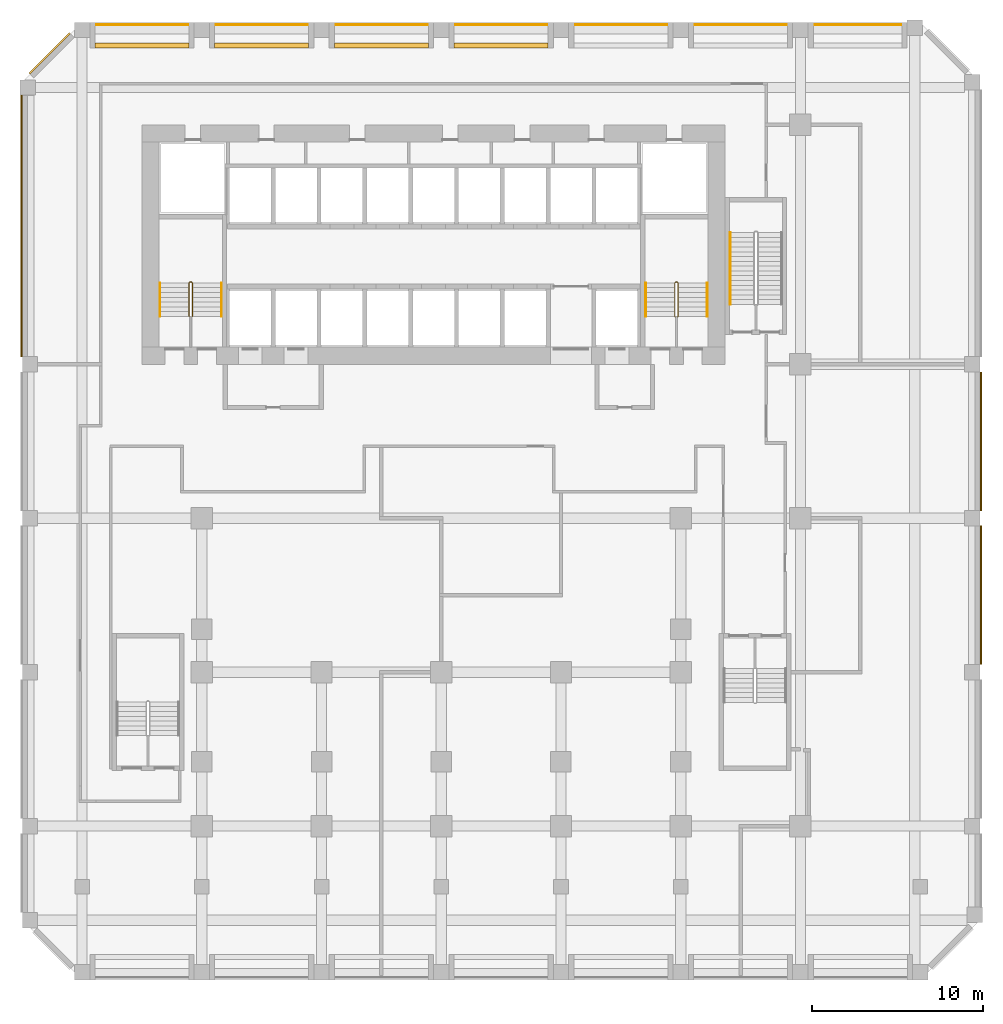
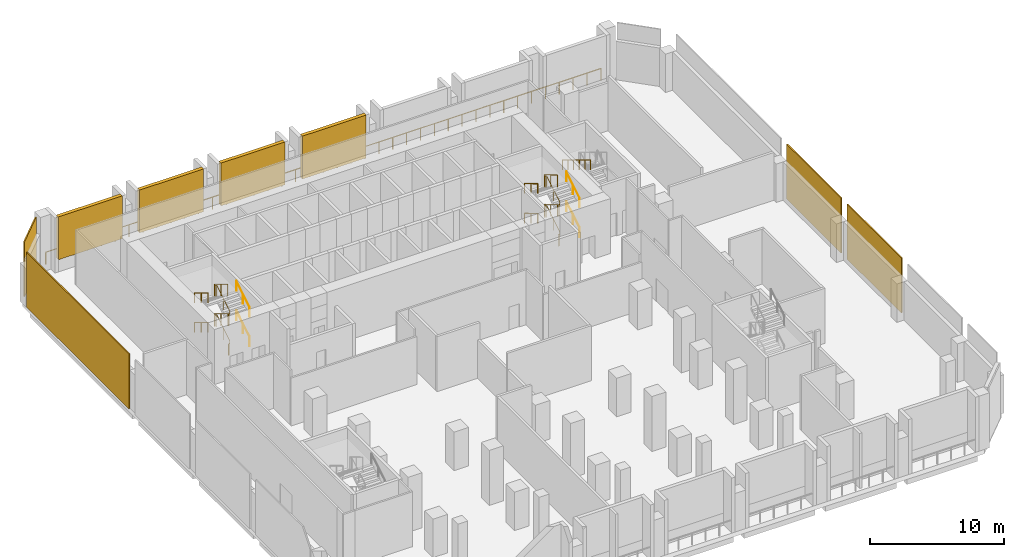
# One storey, part 9 of 10: 12 railings, 8 shading devices.
"""IFC4 building model written with IfcOpenShell, lengths in metres."""

from ifc_helpers import new_model, si_unit, direction, frame, origin, origin_2d, place, context, subcontext, project, spatial, rectangle, circle, extrude, source, transform, mapped, material, layer, layer_set, type_object, element, save


model = new_model("IFC4")

# Units and contexts
model_context = context("Model", 3, precision=1e-05, world=origin(), true_north=direction((0.0, 1.0)))
body_context = subcontext(model_context, "Body", "Model", "MODEL_VIEW")
ifc_project = project(units=[si_unit("LENGTHUNIT", "METRE"), si_unit("AREAUNIT", "SQUARE_METRE"), si_unit("VOLUMEUNIT", "CUBIC_METRE"), si_unit("PLANEANGLEUNIT", "RADIAN"), si_unit("MASSUNIT", "GRAM", prefix="KILO")], contexts=[model_context])

# Site, building, storey
site_placement = place(None, origin())
site = spatial("IfcSite", under=ifc_project, at=site_placement, CompositionType="ELEMENT")
building_placement = place(site_placement, origin())
building = spatial("IfcBuilding", under=site, at=building_placement, Name="Kilnfold Tower and Market Hall", CompositionType="ELEMENT")
storey_placement = place(building_placement, frame((0.0, 0.0, 95.199951171875)))
storey = spatial("IfcBuildingStorey", under=building, at=storey_placement, Name="L22 Refuge Transfer Level", CompositionType="ELEMENT", Elevation=95.199951171875)

# Railings
ifc_material_1 = material(Name="Stainless steel 316", Category="steel")
railing_type_1 = type_object("IfcRailingType", Name="CORE STAIR GUARD 1100", PredefinedType="GUARDRAIL", material=ifc_material_1)
railing_1_placement = place(storey_placement, frame((-13.199951171875, 10.75, 0.0)))
element("IfcRailing", 1, at=railing_1_placement, inside=storey, type_object=railing_type_1, Name="L22 Refuge Transfer Level ST1 stair guard 1", PredefinedType="GUARDRAIL", context=body_context, shape_type="SweptSolid", body=[
    extrude(circle(Radius=0.02392578125, at=origin_2d()), frame((0.0, 0.0, 1.076171875), z_axis=(1.0, 0.0, 0.0), x_axis=(0.0, 1.0, 0.0)), (0.0, 0.0, 1.0), 0.099853515625),
    extrude(circle(Radius=0.02392578125, at=origin_2d()), frame((0.099853515625, 0.0, 1.076171875), z_axis=(0.273232802156, 0.273232802156, 0.922327312645), x_axis=(-0.707106781187, 0.707106781187, 0.0)), (0.0, 0.0, 1.0), 0.18310546875),
    extrude(circle(Radius=0.02392578125, at=origin_2d()), frame((0.14990234375, 0.050048828125, 1.2451171875), z_axis=(0.0, 0.856493463811, 0.516157869696), x_axis=(-1.0, 0.0, 0.0)), (0.0, 0.0, 1.0), 2.288330078125),
    extrude(circle(Radius=0.02392578125, at=origin_2d()), frame((0.14990234375, 2.010009765625, 2.42626953125), z_axis=(-0.707106781187, 0.707106781187, 0.0), x_axis=(-0.707106781187, -0.707106781187, 0.0)), (0.0, 0.0, 1.0), 0.07080078125),
    extrude(circle(Radius=0.02392578125, at=origin_2d()), frame((0.099853515625, 2.06005859375, 2.42626953125), z_axis=(-1.0, 0.0, 0.0), x_axis=(0.0, -1.0, 0.0)), (0.0, 0.0, 1.0), 0.099853515625),
    extrude(circle(Radius=0.02392578125, at=origin_2d()), frame((0.0, 2.06005859375, 2.42626953125), z_axis=(-0.273569069059, -0.273569069059, 0.922127935218), x_axis=(0.707106781187, -0.707106781187, 0.0)), (0.0, 0.0, 1.0), 0.182861328125),
    extrude(circle(Radius=0.02392578125, at=origin_2d()), frame((-0.050048828125, 2.010009765625, 2.5947265625), z_axis=(0.0, -0.856493463811, 0.516157869696), x_axis=(1.0, 0.0, 0.0)), (0.0, 0.0, 1.0), 2.288330078125),
    extrude(circle(Radius=0.02392578125, at=origin_2d()), frame((-0.050048828125, 0.050048828125, 3.77587890625), z_axis=(0.707106781187, -0.707106781187, 0.0), x_axis=(0.707106781187, 0.707106781187, 0.0)), (0.0, 0.0, 1.0), 0.07080078125),
    extrude(circle(Radius=0.02392578125, at=origin_2d()), frame((0.0, 0.0, 3.77587890625), z_axis=(1.0, 0.0, 0.0), x_axis=(0.0, 1.0, 0.0)), (0.0, 0.0, 1.0), 0.099853515625),
    extrude(circle(Radius=0.02392578125, at=origin_2d()), frame((0.099853515625, 0.0, 3.77587890625), z_axis=(0.273569069059, 0.273569069059, 0.922127935218), x_axis=(-0.707106781187, 0.707106781187, 0.0)), (0.0, 0.0, 1.0), 0.182861328125),
    extrude(circle(Radius=0.02392578125, at=origin_2d()), frame((0.14990234375, 0.050048828125, 3.94482421875), z_axis=(0.0, 0.856446297458, 0.516236127728), x_axis=(-1.0, 0.0, 0.0)), (0.0, 0.0, 1.0), 2.28857421875),
    extrude(circle(Radius=0.02392578125, at=origin_2d()), frame((0.14990234375, 2.010009765625, 5.1259765625), z_axis=(-0.707106781187, 0.707106781187, 0.0), x_axis=(-0.707106781187, -0.707106781187, 0.0)), (0.0, 0.0, 1.0), 0.07080078125),
    extrude(circle(Radius=0.02392578125, at=origin_2d()), frame((0.099853515625, 2.06005859375, 5.1259765625), z_axis=(-1.0, 0.0, 0.0), x_axis=(0.0, -1.0, 0.0)), (0.0, 0.0, 1.0), 0.099853515625),
    extrude(circle(Radius=0.02392578125, at=origin_2d()), frame((0.0, 2.06005859375, 5.1259765625), z_axis=(-0.273569069059, -0.273569069059, 0.922127935218), x_axis=(0.707106781187, -0.707106781187, 0.0)), (0.0, 0.0, 1.0), 0.182861328125),
    extrude(circle(Radius=0.02392578125, at=origin_2d()), frame((-0.050048828125, 2.010009765625, 5.294921875), z_axis=(0.0, -0.856446297458, 0.516236127728), x_axis=(1.0, 0.0, 0.0)), (0.0, 0.0, 1.0), 2.28857421875),
    extrude(circle(Radius=0.02099609375, at=origin_2d()), origin(), (0.0, 0.0, 1.0), 1.052001953125),
    extrude(circle(Radius=0.02099609375, at=origin_2d()), frame((0.099853515625, 0.0, 0.0)), (0.0, 0.0, 1.0), 1.052001953125),
    extrude(circle(Radius=0.02099609375, at=origin_2d()), frame((0.14990234375, 0.050048828125, 0.1689453125)), (0.0, 0.0, 1.0), 1.052001953125),
    extrude(circle(Radius=0.02099609375, at=origin_2d()), frame((0.14990234375, 1.030029296875, 0.759521484375)), (0.0, 0.0, 1.0), 1.052001953125),
    extrude(circle(Radius=0.02099609375, at=origin_2d()), frame((0.14990234375, 2.010009765625, 1.35009765625)), (0.0, 0.0, 1.0), 1.052001953125),
    extrude(circle(Radius=0.02099609375, at=origin_2d()), frame((0.099853515625, 2.06005859375, 1.35009765625)), (0.0, 0.0, 1.0), 1.052001953125),
    extrude(circle(Radius=0.02099609375, at=origin_2d()), frame((0.0, 2.06005859375, 1.35009765625)), (0.0, 0.0, 1.0), 1.052001953125),
    extrude(circle(Radius=0.02099609375, at=origin_2d()), frame((-0.050048828125, 2.010009765625, 1.518798828125)), (0.0, 0.0, 1.0), 1.052001953125),
    extrude(circle(Radius=0.02099609375, at=origin_2d()), frame((-0.050048828125, 1.030029296875, 2.109375)), (0.0, 0.0, 1.0), 1.052001953125),
    extrude(circle(Radius=0.02099609375, at=origin_2d()), frame((-0.050048828125, 0.050048828125, 2.699951171875)), (0.0, 0.0, 1.0), 1.052001953125),
    extrude(circle(Radius=0.02099609375, at=origin_2d()), frame((0.0, 0.0, 2.699951171875)), (0.0, 0.0, 1.0), 1.052001953125),
    extrude(circle(Radius=0.02099609375, at=origin_2d()), frame((0.099853515625, 0.0, 2.699951171875)), (0.0, 0.0, 1.0), 1.052001953125),
    extrude(circle(Radius=0.02099609375, at=origin_2d()), frame((0.14990234375, 0.050048828125, 2.86865234375)), (0.0, 0.0, 1.0), 1.052001953125),
    extrude(circle(Radius=0.02099609375, at=origin_2d()), frame((0.14990234375, 1.030029296875, 3.45947265625)), (0.0, 0.0, 1.0), 1.052001953125),
    extrude(circle(Radius=0.02099609375, at=origin_2d()), frame((0.14990234375, 2.010009765625, 4.050048828125)), (0.0, 0.0, 1.0), 1.052001953125),
    extrude(circle(Radius=0.02099609375, at=origin_2d()), frame((0.099853515625, 2.06005859375, 4.050048828125)), (0.0, 0.0, 1.0), 1.052001953125),
    extrude(circle(Radius=0.02099609375, at=origin_2d()), frame((0.0, 2.06005859375, 4.050048828125)), (0.0, 0.0, 1.0), 1.052001953125),
    extrude(circle(Radius=0.02099609375, at=origin_2d()), frame((-0.050048828125, 2.010009765625, 4.21875)), (0.0, 0.0, 1.0), 1.052001953125),
    extrude(circle(Radius=0.02099609375, at=origin_2d()), frame((-0.050048828125, 1.030029296875, 4.8095703125)), (0.0, 0.0, 1.0), 1.052001953125),
    extrude(circle(Radius=0.02099609375, at=origin_2d()), frame((-0.050048828125, 0.050048828125, 5.400146484375)), (0.0, 0.0, 1.0), 1.052001953125),
])
railing_2_placement = place(storey_placement, frame((15.199951171875, 10.75, 0.0)))
element("IfcRailing", 2, at=railing_2_placement, inside=storey, type_object=railing_type_1, Name="L22 Refuge Transfer Level ST2 stair guard 1", PredefinedType="GUARDRAIL", context=body_context, shape_type="SweptSolid", body=[
    extrude(circle(Radius=0.02392578125, at=origin_2d()), frame((0.0, 0.0, 1.076171875), z_axis=(1.0, 0.0, 0.0), x_axis=(0.0, 1.0, 0.0)), (0.0, 0.0, 1.0), 0.10009765625),
    extrude(circle(Radius=0.02392578125, at=origin_2d()), frame((0.10009765625, 0.0, 1.076171875), z_axis=(0.273232802156, 0.273232802156, 0.922327312645), x_axis=(-0.707106781187, 0.707106781187, 0.0)), (0.0, 0.0, 1.0), 0.18310546875),
    extrude(circle(Radius=0.02392578125, at=origin_2d()), frame((0.150146484375, 0.050048828125, 1.2451171875), z_axis=(0.0, 0.856493463811, 0.516157869696), x_axis=(-1.0, 0.0, 0.0)), (0.0, 0.0, 1.0), 2.288330078125),
    extrude(circle(Radius=0.02392578125, at=origin_2d()), frame((0.150146484375, 2.010009765625, 2.42626953125), z_axis=(-0.707106781187, 0.707106781187, 0.0), x_axis=(-0.707106781187, -0.707106781187, 0.0)), (0.0, 0.0, 1.0), 0.07080078125),
    extrude(circle(Radius=0.02392578125, at=origin_2d()), frame((0.10009765625, 2.06005859375, 2.42626953125), z_axis=(-1.0, 0.0, 0.0), x_axis=(0.0, -1.0, 0.0)), (0.0, 0.0, 1.0), 0.10009765625),
    extrude(circle(Radius=0.02392578125, at=origin_2d()), frame((0.0, 2.06005859375, 2.42626953125), z_axis=(-0.273569069059, -0.273569069059, 0.922127935218), x_axis=(0.707106781187, -0.707106781187, 0.0)), (0.0, 0.0, 1.0), 0.182861328125),
    extrude(circle(Radius=0.02392578125, at=origin_2d()), frame((-0.050048828125, 2.010009765625, 2.5947265625), z_axis=(0.0, -0.856493463811, 0.516157869696), x_axis=(1.0, 0.0, 0.0)), (0.0, 0.0, 1.0), 2.288330078125),
    extrude(circle(Radius=0.02392578125, at=origin_2d()), frame((-0.050048828125, 0.050048828125, 3.77587890625), z_axis=(0.707106781187, -0.707106781187, 0.0), x_axis=(0.707106781187, 0.707106781187, 0.0)), (0.0, 0.0, 1.0), 0.07080078125),
    extrude(circle(Radius=0.02392578125, at=origin_2d()), frame((0.0, 0.0, 3.77587890625), z_axis=(1.0, 0.0, 0.0), x_axis=(0.0, 1.0, 0.0)), (0.0, 0.0, 1.0), 0.10009765625),
    extrude(circle(Radius=0.02392578125, at=origin_2d()), frame((0.10009765625, 0.0, 3.77587890625), z_axis=(0.273569069059, 0.273569069059, 0.922127935218), x_axis=(-0.707106781187, 0.707106781187, 0.0)), (0.0, 0.0, 1.0), 0.182861328125),
    extrude(circle(Radius=0.02392578125, at=origin_2d()), frame((0.150146484375, 0.050048828125, 3.94482421875), z_axis=(0.0, 0.856446297458, 0.516236127728), x_axis=(-1.0, 0.0, 0.0)), (0.0, 0.0, 1.0), 2.28857421875),
    extrude(circle(Radius=0.02392578125, at=origin_2d()), frame((0.150146484375, 2.010009765625, 5.1259765625), z_axis=(-0.707106781187, 0.707106781187, 0.0), x_axis=(-0.707106781187, -0.707106781187, 0.0)), (0.0, 0.0, 1.0), 0.07080078125),
    extrude(circle(Radius=0.02392578125, at=origin_2d()), frame((0.10009765625, 2.06005859375, 5.1259765625), z_axis=(-1.0, 0.0, 0.0), x_axis=(0.0, -1.0, 0.0)), (0.0, 0.0, 1.0), 0.10009765625),
    extrude(circle(Radius=0.02392578125, at=origin_2d()), frame((0.0, 2.06005859375, 5.1259765625), z_axis=(-0.273569069059, -0.273569069059, 0.922127935218), x_axis=(0.707106781187, -0.707106781187, 0.0)), (0.0, 0.0, 1.0), 0.182861328125),
    extrude(circle(Radius=0.02392578125, at=origin_2d()), frame((-0.050048828125, 2.010009765625, 5.294921875), z_axis=(0.0, -0.856446297458, 0.516236127728), x_axis=(1.0, 0.0, 0.0)), (0.0, 0.0, 1.0), 2.28857421875),
    extrude(circle(Radius=0.02099609375, at=origin_2d()), origin(), (0.0, 0.0, 1.0), 1.052001953125),
    extrude(circle(Radius=0.02099609375, at=origin_2d()), frame((0.10009765625, 0.0, 0.0)), (0.0, 0.0, 1.0), 1.052001953125),
    extrude(circle(Radius=0.02099609375, at=origin_2d()), frame((0.150146484375, 0.050048828125, 0.1689453125)), (0.0, 0.0, 1.0), 1.052001953125),
    extrude(circle(Radius=0.02099609375, at=origin_2d()), frame((0.150146484375, 1.030029296875, 0.759521484375)), (0.0, 0.0, 1.0), 1.052001953125),
    extrude(circle(Radius=0.02099609375, at=origin_2d()), frame((0.150146484375, 2.010009765625, 1.35009765625)), (0.0, 0.0, 1.0), 1.052001953125),
    extrude(circle(Radius=0.02099609375, at=origin_2d()), frame((0.10009765625, 2.06005859375, 1.35009765625)), (0.0, 0.0, 1.0), 1.052001953125),
    extrude(circle(Radius=0.02099609375, at=origin_2d()), frame((0.0, 2.06005859375, 1.35009765625)), (0.0, 0.0, 1.0), 1.052001953125),
    extrude(circle(Radius=0.02099609375, at=origin_2d()), frame((-0.050048828125, 2.010009765625, 1.518798828125)), (0.0, 0.0, 1.0), 1.052001953125),
    extrude(circle(Radius=0.02099609375, at=origin_2d()), frame((-0.050048828125, 1.030029296875, 2.109375)), (0.0, 0.0, 1.0), 1.052001953125),
    extrude(circle(Radius=0.02099609375, at=origin_2d()), frame((-0.050048828125, 0.050048828125, 2.699951171875)), (0.0, 0.0, 1.0), 1.052001953125),
    extrude(circle(Radius=0.02099609375, at=origin_2d()), frame((0.0, 0.0, 2.699951171875)), (0.0, 0.0, 1.0), 1.052001953125),
    extrude(circle(Radius=0.02099609375, at=origin_2d()), frame((0.10009765625, 0.0, 2.699951171875)), (0.0, 0.0, 1.0), 1.052001953125),
    extrude(circle(Radius=0.02099609375, at=origin_2d()), frame((0.150146484375, 0.050048828125, 2.86865234375)), (0.0, 0.0, 1.0), 1.052001953125),
    extrude(circle(Radius=0.02099609375, at=origin_2d()), frame((0.150146484375, 1.030029296875, 3.45947265625)), (0.0, 0.0, 1.0), 1.052001953125),
    extrude(circle(Radius=0.02099609375, at=origin_2d()), frame((0.150146484375, 2.010009765625, 4.050048828125)), (0.0, 0.0, 1.0), 1.052001953125),
    extrude(circle(Radius=0.02099609375, at=origin_2d()), frame((0.10009765625, 2.06005859375, 4.050048828125)), (0.0, 0.0, 1.0), 1.052001953125),
    extrude(circle(Radius=0.02099609375, at=origin_2d()), frame((0.0, 2.06005859375, 4.050048828125)), (0.0, 0.0, 1.0), 1.052001953125),
    extrude(circle(Radius=0.02099609375, at=origin_2d()), frame((-0.050048828125, 2.010009765625, 4.21875)), (0.0, 0.0, 1.0), 1.052001953125),
    extrude(circle(Radius=0.02099609375, at=origin_2d()), frame((-0.050048828125, 1.030029296875, 4.8095703125)), (0.0, 0.0, 1.0), 1.052001953125),
    extrude(circle(Radius=0.02099609375, at=origin_2d()), frame((-0.050048828125, 0.050048828125, 5.400146484375)), (0.0, 0.0, 1.0), 1.052001953125),
])
ifc_material_2 = material(Name="Stainless steel 316", Category="steel")
railing_type_2 = type_object("IfcRailingType", Name="CORE STAIR HANDRAIL 900", PredefinedType="HANDRAIL", material=ifc_material_2)
railing_3_placement = place(storey_placement, frame((-11.35009765625, 10.800048828125, 0.1689453125)))
element("IfcRailing", 3, at=railing_3_placement, inside=storey, type_object=railing_type_2, Name="L22 Refuge Transfer Level ST1 stair handrail 1", PredefinedType="HANDRAIL", context=body_context, shape_type="SweptSolid", body=[
    extrude(circle(Radius=0.02392578125, at=origin_2d()), frame((0.0, 0.0, 0.8759765625), z_axis=(0.0, 0.856493463811, 0.516157869696), x_axis=(-1.0, 0.0, 0.0)), (0.0, 0.0, 1.0), 2.288330078125),
    extrude(circle(Radius=0.02099609375, at=origin_2d()), origin(), (0.0, 0.0, 1.0), 0.851806640625),
    extrude(circle(Radius=0.02099609375, at=origin_2d()), frame((0.0, 0.97998046875, 0.590576171875)), (0.0, 0.0, 1.0), 0.851806640625),
    extrude(circle(Radius=0.02099609375, at=origin_2d()), frame((0.0, 1.9599609375, 1.18115234375)), (0.0, 0.0, 1.0), 0.851806640625),
])
railing_4_placement = place(storey_placement, frame((-14.949951171875, 12.760009765625, 1.518798828125)))
element("IfcRailing", 4, at=railing_4_placement, inside=storey, type_object=railing_type_2, Name="L22 Refuge Transfer Level ST1 stair handrail 2", PredefinedType="HANDRAIL", context=body_context, shape_type="SweptSolid", body=[
    extrude(circle(Radius=0.02392578125, at=origin_2d()), frame((0.0, 0.0, 0.8759765625), z_axis=(0.0, -0.856493463811, 0.516157869696), x_axis=(1.0, 0.0, 0.0)), (0.0, 0.0, 1.0), 2.288330078125),
    extrude(circle(Radius=0.02099609375, at=origin_2d()), origin(), (0.0, 0.0, 1.0), 0.851806640625),
    extrude(circle(Radius=0.02099609375, at=origin_2d()), frame((0.0, -0.97998046875, 0.590576171875)), (0.0, 0.0, 1.0), 0.851806640625),
    extrude(circle(Radius=0.02099609375, at=origin_2d()), frame((0.0, -1.9599609375, 1.18115234375)), (0.0, 0.0, 1.0), 0.851806640625),
])
railing_5_placement = place(storey_placement, frame((-11.35009765625, 10.800048828125, 2.86865234375)))
element("IfcRailing", 5, at=railing_5_placement, inside=storey, type_object=railing_type_2, Name="L22 Refuge Transfer Level ST1 stair handrail 3", PredefinedType="HANDRAIL", context=body_context, shape_type="SweptSolid", body=[
    extrude(circle(Radius=0.02392578125, at=origin_2d()), frame((0.0, 0.0, 0.8759765625), z_axis=(0.0, 0.856446297458, 0.516236127728), x_axis=(-1.0, 0.0, 0.0)), (0.0, 0.0, 1.0), 2.28857421875),
    extrude(circle(Radius=0.02099609375, at=origin_2d()), origin(), (0.0, 0.0, 1.0), 0.851806640625),
    extrude(circle(Radius=0.02099609375, at=origin_2d()), frame((0.0, 0.97998046875, 0.5908203125)), (0.0, 0.0, 1.0), 0.851806640625),
    extrude(circle(Radius=0.02099609375, at=origin_2d()), frame((0.0, 1.9599609375, 1.181396484375)), (0.0, 0.0, 1.0), 0.851806640625),
])
railing_6_placement = place(storey_placement, frame((-14.949951171875, 12.760009765625, 4.21875)))
element("IfcRailing", 6, at=railing_6_placement, inside=storey, type_object=railing_type_2, Name="L22 Refuge Transfer Level ST1 stair handrail 4", PredefinedType="HANDRAIL", context=body_context, shape_type="SweptSolid", body=[
    extrude(circle(Radius=0.02392578125, at=origin_2d()), frame((0.0, 0.0, 0.8759765625), z_axis=(0.0, -0.856446297458, 0.516236127728), x_axis=(1.0, 0.0, 0.0)), (0.0, 0.0, 1.0), 2.28857421875),
    extrude(circle(Radius=0.02099609375, at=origin_2d()), origin(), (0.0, 0.0, 1.0), 0.851806640625),
    extrude(circle(Radius=0.02099609375, at=origin_2d()), frame((0.0, -0.97998046875, 0.5908203125)), (0.0, 0.0, 1.0), 0.851806640625),
    extrude(circle(Radius=0.02099609375, at=origin_2d()), frame((0.0, -1.9599609375, 1.181396484375)), (0.0, 0.0, 1.0), 0.851806640625),
])
railing_7_placement = place(storey_placement, frame((17.050048828125, 10.800048828125, 0.1689453125)))
element("IfcRailing", 7, at=railing_7_placement, inside=storey, type_object=railing_type_2, Name="L22 Refuge Transfer Level ST2 stair handrail 1", PredefinedType="HANDRAIL", context=body_context, shape_type="SweptSolid", body=[
    extrude(circle(Radius=0.02392578125, at=origin_2d()), frame((0.0, 0.0, 0.8759765625), z_axis=(0.0, 0.856493463811, 0.516157869696), x_axis=(-1.0, 0.0, 0.0)), (0.0, 0.0, 1.0), 2.288330078125),
    extrude(circle(Radius=0.02099609375, at=origin_2d()), origin(), (0.0, 0.0, 1.0), 0.851806640625),
    extrude(circle(Radius=0.02099609375, at=origin_2d()), frame((0.0, 0.97998046875, 0.590576171875)), (0.0, 0.0, 1.0), 0.851806640625),
    extrude(circle(Radius=0.02099609375, at=origin_2d()), frame((0.0, 1.9599609375, 1.18115234375)), (0.0, 0.0, 1.0), 0.851806640625),
])
railing_8_placement = place(storey_placement, frame((13.449951171875, 12.760009765625, 1.518798828125)))
element("IfcRailing", 8, at=railing_8_placement, inside=storey, type_object=railing_type_2, Name="L22 Refuge Transfer Level ST2 stair handrail 2", PredefinedType="HANDRAIL", context=body_context, shape_type="SweptSolid", body=[
    extrude(circle(Radius=0.02392578125, at=origin_2d()), frame((0.0, 0.0, 0.8759765625), z_axis=(0.0, -0.856493463811, 0.516157869696), x_axis=(1.0, 0.0, 0.0)), (0.0, 0.0, 1.0), 2.288330078125),
    extrude(circle(Radius=0.02099609375, at=origin_2d()), origin(), (0.0, 0.0, 1.0), 0.851806640625),
    extrude(circle(Radius=0.02099609375, at=origin_2d()), frame((0.0, -0.97998046875, 0.590576171875)), (0.0, 0.0, 1.0), 0.851806640625),
    extrude(circle(Radius=0.02099609375, at=origin_2d()), frame((0.0, -1.9599609375, 1.18115234375)), (0.0, 0.0, 1.0), 0.851806640625),
])
railing_9_placement = place(storey_placement, frame((17.050048828125, 10.800048828125, 2.86865234375)))
element("IfcRailing", 9, at=railing_9_placement, inside=storey, type_object=railing_type_2, Name="L22 Refuge Transfer Level ST2 stair handrail 3", PredefinedType="HANDRAIL", context=body_context, shape_type="SweptSolid", body=[
    extrude(circle(Radius=0.02392578125, at=origin_2d()), frame((0.0, 0.0, 0.8759765625), z_axis=(0.0, 0.856446297458, 0.516236127728), x_axis=(-1.0, 0.0, 0.0)), (0.0, 0.0, 1.0), 2.28857421875),
    extrude(circle(Radius=0.02099609375, at=origin_2d()), origin(), (0.0, 0.0, 1.0), 0.851806640625),
    extrude(circle(Radius=0.02099609375, at=origin_2d()), frame((0.0, 0.97998046875, 0.5908203125)), (0.0, 0.0, 1.0), 0.851806640625),
    extrude(circle(Radius=0.02099609375, at=origin_2d()), frame((0.0, 1.9599609375, 1.181396484375)), (0.0, 0.0, 1.0), 0.851806640625),
])
railing_10_placement = place(storey_placement, frame((13.449951171875, 12.760009765625, 4.21875)))
element("IfcRailing", 10, at=railing_10_placement, inside=storey, type_object=railing_type_2, Name="L22 Refuge Transfer Level ST2 stair handrail 4", PredefinedType="HANDRAIL", context=body_context, shape_type="SweptSolid", body=[
    extrude(circle(Radius=0.02392578125, at=origin_2d()), frame((0.0, 0.0, 0.8759765625), z_axis=(0.0, -0.856446297458, 0.516236127728), x_axis=(1.0, 0.0, 0.0)), (0.0, 0.0, 1.0), 2.28857421875),
    extrude(circle(Radius=0.02099609375, at=origin_2d()), origin(), (0.0, 0.0, 1.0), 0.851806640625),
    extrude(circle(Radius=0.02099609375, at=origin_2d()), frame((0.0, -0.97998046875, 0.5908203125)), (0.0, 0.0, 1.0), 0.851806640625),
    extrude(circle(Radius=0.02099609375, at=origin_2d()), frame((0.0, -1.9599609375, 1.181396484375)), (0.0, 0.0, 1.0), 0.851806640625),
])
railing_11_placement = place(storey_placement, frame((18.39990234375, 15.699951171875, 2.86865234375)))
element("IfcRailing", 11, at=railing_11_placement, inside=storey, type_object=railing_type_2, Name="L22 Refuge Transfer Level ST5 stair handrail 2", PredefinedType="HANDRAIL", context=body_context, shape_type="SweptSolid", body=[
    extrude(circle(Radius=0.02392578125, at=origin_2d()), frame((0.0, 0.0, 0.8759765625), z_axis=(0.0, -0.856454481726, 0.516222549615), x_axis=(1.0, 0.0, 0.0)), (0.0, 0.0, 1.0), 4.90380859375),
    extrude(circle(Radius=0.02099609375, at=origin_2d()), origin(), (0.0, 0.0, 1.0), 0.851806640625),
    extrude(circle(Radius=0.02099609375, at=origin_2d()), frame((0.0, -0.840087890625, 0.50634765625)), (0.0, 0.0, 1.0), 0.851806640625),
    extrude(circle(Radius=0.02099609375, at=origin_2d()), frame((0.0, -1.679931640625, 1.0126953125)), (0.0, 0.0, 1.0), 0.851806640625),
    extrude(circle(Radius=0.02099609375, at=origin_2d()), frame((0.0, -2.52001953125, 1.518798828125)), (0.0, 0.0, 1.0), 0.851806640625),
    extrude(circle(Radius=0.02099609375, at=origin_2d()), frame((0.0, -3.35986328125, 2.025146484375)), (0.0, 0.0, 1.0), 0.851806640625),
    extrude(circle(Radius=0.02099609375, at=origin_2d()), frame((0.0, -4.199951171875, 2.531494140625)), (0.0, 0.0, 1.0), 0.851806640625),
])
ifc_material_3 = material(Name="Stainless steel and laminated glass", Category="steel")
railing_type_3 = type_object("IfcRailingType", Name="GUARD 1100", PredefinedType="GUARDRAIL", material=ifc_material_3)
railing_12_placement = place(storey_placement, frame((28.731689453125, 27.85009765625, 0.0)))
element("IfcRailing", 12, at=railing_12_placement, inside=storey, type_object=railing_type_3, Name="Guard plant edge N L22", PredefinedType="GUARDRAIL", context=body_context, shape_type="SweptSolid", body=[
    extrude(circle(Radius=0.02490234375, at=origin_2d()), frame((0.0, 0.0, 1.0751953125), z_axis=(-1.0, 0.0, 0.0), x_axis=(0.0, -1.0, 0.0)), (0.0, 0.0, 1.0), 47.78173828125),
    extrude(circle(Radius=0.02490234375, at=origin_2d()), origin(), (0.0, 0.0, 1.0), 1.050048828125),
    extrude(circle(Radius=0.02490234375, at=origin_2d()), frame((-1.194580078125, 0.0, 0.0)), (0.0, 0.0, 1.0), 1.050048828125),
    extrude(circle(Radius=0.02490234375, at=origin_2d()), frame((-2.38916015625, 0.0, 0.0)), (0.0, 0.0, 1.0), 1.050048828125),
    extrude(circle(Radius=0.02490234375, at=origin_2d()), frame((-3.583740234375, 0.0, 0.0)), (0.0, 0.0, 1.0), 1.050048828125),
    extrude(circle(Radius=0.02490234375, at=origin_2d()), frame((-4.778076171875, 0.0, 0.0)), (0.0, 0.0, 1.0), 1.050048828125),
    extrude(circle(Radius=0.02490234375, at=origin_2d()), frame((-5.97265625, 0.0, 0.0)), (0.0, 0.0, 1.0), 1.050048828125),
    extrude(circle(Radius=0.02490234375, at=origin_2d()), frame((-7.167236328125, 0.0, 0.0)), (0.0, 0.0, 1.0), 1.050048828125),
    extrude(circle(Radius=0.02490234375, at=origin_2d()), frame((-8.36181640625, 0.0, 0.0)), (0.0, 0.0, 1.0), 1.050048828125),
    extrude(circle(Radius=0.02490234375, at=origin_2d()), frame((-9.556396484375, 0.0, 0.0)), (0.0, 0.0, 1.0), 1.050048828125),
    extrude(circle(Radius=0.02490234375, at=origin_2d()), frame((-10.7509765625, 0.0, 0.0)), (0.0, 0.0, 1.0), 1.050048828125),
    extrude(circle(Radius=0.02490234375, at=origin_2d()), frame((-11.9453125, 0.0, 0.0)), (0.0, 0.0, 1.0), 1.050048828125),
    extrude(circle(Radius=0.02490234375, at=origin_2d()), frame((-13.139892578125, 0.0, 0.0)), (0.0, 0.0, 1.0), 1.050048828125),
    extrude(circle(Radius=0.02490234375, at=origin_2d()), frame((-14.33447265625, 0.0, 0.0)), (0.0, 0.0, 1.0), 1.050048828125),
    extrude(circle(Radius=0.02490234375, at=origin_2d()), frame((-15.529052734375, 0.0, 0.0)), (0.0, 0.0, 1.0), 1.050048828125),
    extrude(circle(Radius=0.02490234375, at=origin_2d()), frame((-16.7236328125, 0.0, 0.0)), (0.0, 0.0, 1.0), 1.050048828125),
    extrude(circle(Radius=0.02490234375, at=origin_2d()), frame((-17.918212890625, 0.0, 0.0)), (0.0, 0.0, 1.0), 1.050048828125),
    extrude(circle(Radius=0.02490234375, at=origin_2d()), frame((-19.11279296875, 0.0, 0.0)), (0.0, 0.0, 1.0), 1.050048828125),
    extrude(circle(Radius=0.02490234375, at=origin_2d()), frame((-20.30712890625, 0.0, 0.0)), (0.0, 0.0, 1.0), 1.050048828125),
    extrude(circle(Radius=0.02490234375, at=origin_2d()), frame((-21.501708984375, 0.0, 0.0)), (0.0, 0.0, 1.0), 1.050048828125),
    extrude(circle(Radius=0.02490234375, at=origin_2d()), frame((-22.6962890625, 0.0, 0.0)), (0.0, 0.0, 1.0), 1.050048828125),
    extrude(circle(Radius=0.02490234375, at=origin_2d()), frame((-23.890869140625, 0.0, 0.0)), (0.0, 0.0, 1.0), 1.050048828125),
    extrude(circle(Radius=0.02490234375, at=origin_2d()), frame((-25.08544921875, 0.0, 0.0)), (0.0, 0.0, 1.0), 1.050048828125),
    extrude(circle(Radius=0.02490234375, at=origin_2d()), frame((-26.280029296875, 0.0, 0.0)), (0.0, 0.0, 1.0), 1.050048828125),
    extrude(circle(Radius=0.02490234375, at=origin_2d()), frame((-27.474609375, 0.0, 0.0)), (0.0, 0.0, 1.0), 1.050048828125),
    extrude(circle(Radius=0.02490234375, at=origin_2d()), frame((-28.6689453125, 0.0, 0.0)), (0.0, 0.0, 1.0), 1.050048828125),
    extrude(circle(Radius=0.02490234375, at=origin_2d()), frame((-29.863525390625, 0.0, 0.0)), (0.0, 0.0, 1.0), 1.050048828125),
    extrude(circle(Radius=0.02490234375, at=origin_2d()), frame((-31.05810546875, 0.0, 0.0)), (0.0, 0.0, 1.0), 1.050048828125),
    extrude(circle(Radius=0.02490234375, at=origin_2d()), frame((-32.252685546875, 0.0, 0.0)), (0.0, 0.0, 1.0), 1.050048828125),
    extrude(circle(Radius=0.02490234375, at=origin_2d()), frame((-33.447265625, 0.0, 0.0)), (0.0, 0.0, 1.0), 1.050048828125),
    extrude(circle(Radius=0.02490234375, at=origin_2d()), frame((-34.641845703125, 0.0, 0.0)), (0.0, 0.0, 1.0), 1.050048828125),
    extrude(circle(Radius=0.02490234375, at=origin_2d()), frame((-35.83642578125, 0.0, 0.0)), (0.0, 0.0, 1.0), 1.050048828125),
    extrude(circle(Radius=0.02490234375, at=origin_2d()), frame((-37.03076171875, 0.0, 0.0)), (0.0, 0.0, 1.0), 1.050048828125),
    extrude(circle(Radius=0.02490234375, at=origin_2d()), frame((-38.225341796875, 0.0, 0.0)), (0.0, 0.0, 1.0), 1.050048828125),
    extrude(circle(Radius=0.02490234375, at=origin_2d()), frame((-39.419921875, 0.0, 0.0)), (0.0, 0.0, 1.0), 1.050048828125),
    extrude(circle(Radius=0.02490234375, at=origin_2d()), frame((-40.614501953125, 0.0, 0.0)), (0.0, 0.0, 1.0), 1.050048828125),
    extrude(circle(Radius=0.02490234375, at=origin_2d()), frame((-41.80908203125, 0.0, 0.0)), (0.0, 0.0, 1.0), 1.050048828125),
    extrude(circle(Radius=0.02490234375, at=origin_2d()), frame((-43.003662109375, 0.0, 0.0)), (0.0, 0.0, 1.0), 1.050048828125),
    extrude(circle(Radius=0.02490234375, at=origin_2d()), frame((-44.197998046875, 0.0, 0.0)), (0.0, 0.0, 1.0), 1.050048828125),
    extrude(circle(Radius=0.02490234375, at=origin_2d()), frame((-45.392578125, 0.0, 0.0)), (0.0, 0.0, 1.0), 1.050048828125),
    extrude(circle(Radius=0.02490234375, at=origin_2d()), frame((-46.587158203125, 0.0, 0.0)), (0.0, 0.0, 1.0), 1.050048828125),
    extrude(circle(Radius=0.02490234375, at=origin_2d()), frame((-47.78173828125, 0.0, 0.0)), (0.0, 0.0, 1.0), 1.050048828125),
])

# Shading devices
ifc_material_4 = material(Name="Anodised aluminium", Category="aluminium")
shading_device_type_1 = type_object("IfcShadingDeviceType", Name="LOUVRE", PredefinedType="JALOUSIE", material=ifc_material_4)
shared_shape_1 = source(origin(), body_context, "Body", "SweptSolid", [
    extrude(rectangle(XDim=5.5, YDim=0.300048828125, at=origin_2d()), origin(), (0.0, 0.0, 1.0), 3.89990234375),
])
for number, where, z_axis, x_axis, name in (
    (13, (5.0, 26.64990234375, 1.10009765625), (0.0, 0.0, 1.0), (-1.0, 0.0, 0.0), "Plant louvre L22 N"),
    (14, (-2.0, 26.64990234375, 1.10009765625), (0.0, 0.0, 1.0), (-1.0, 0.0, 0.0), "Plant louvre L22 N"),
    (15, (-9.0, 26.64990234375, 1.10009765625), (0.0, 0.0, 1.0), (-1.0, 0.0, 0.0), "Plant louvre L22 N"),
    (16, (-16.0, 26.64990234375, 1.10009765625), (0.0, 0.0, 1.0), (-1.0, 0.0, 0.0), "Plant louvre L22 N"),
):
    element("IfcShadingDevice", number, at=place(storey_placement, frame(where, z_axis=z_axis, x_axis=x_axis)), inside=storey, type_object=shading_device_type_1, Name=name, ObjectType="LOUVRE", PredefinedType="JALOUSIE", context=body_context, shape_type="MappedRepresentation", body=[
        mapped(shared_shape_1, transform((0.0, 0.0, 0.0))),
    ])
ifc_material_5 = material(Name="Terracotta", Category="masonry")
ifc_layer = layer(ifc_material_5, 0.10009765625)
ifc_layer_set = layer_set([ifc_layer], Name="Terracotta")
shading_device_type_2 = type_object("IfcShadingDeviceType", Name="TERRACOTTA SCREEN 100", PredefinedType="USERDEFINED", material=ifc_layer_set)
shared_shape_2 = source(origin(), body_context, "Body", "SweptSolid", [
    extrude(rectangle(XDim=3.35888671875, YDim=0.10009765625, at=origin_2d()), origin(), (0.0, 0.0, 1.0), 5.0),
])
shading_device_1_placement = place(storey_placement, frame((-21.39794921875, 26.1728515625, 0.0), z_axis=(0.0, 0.0, 1.0), x_axis=(-0.707106781187, -0.707106781187, 0.0)))
element("IfcShadingDevice", 17, at=shading_device_1_placement, inside=storey, type_object=shading_device_type_2, Name="Plant screen L22 NW", ObjectType="SCREEN", PredefinedType="USERDEFINED", context=body_context, shape_type="MappedRepresentation", body=[
    mapped(shared_shape_2, transform((0.0, 0.0, 0.0))),
])
shared_shape_3 = source(origin(), body_context, "Body", "SweptSolid", [
    extrude(rectangle(XDim=8.10009765625, YDim=0.10009765625, at=origin_2d()), origin(), (0.0, 0.0, 1.0), 5.0),
])
for number, where, z_axis, x_axis, name in (
    (18, (33.050048828125, -5.5, 0.0), (0.0, 0.0, 1.0), (0.0, 1.0, 0.0), "Plant screen L22 E"),
    (19, (33.050048828125, 3.5, 0.0), (0.0, 0.0, 1.0), (0.0, 1.0, 0.0), "Plant screen L22 E"),
):
    element("IfcShadingDevice", number, at=place(storey_placement, frame(where, z_axis=z_axis, x_axis=x_axis)), inside=storey, type_object=shading_device_type_2, Name=name, ObjectType="SCREEN", PredefinedType="USERDEFINED", context=body_context, shape_type="MappedRepresentation", body=[
        mapped(shared_shape_3, transform((0.0, 0.0, 0.0))),
    ])
shared_shape_4 = source(origin(), body_context, "Body", "SweptSolid", [
    extrude(rectangle(XDim=15.28173828125, YDim=0.10009765625, at=origin_2d()), origin(), (0.0, 0.0, 1.0), 5.0),
])
shading_device_2_placement = place(storey_placement, frame((-23.050048828125, 16.0908203125, 0.0), z_axis=(0.0, 0.0, 1.0), x_axis=(0.0, -1.0, 0.0)))
element("IfcShadingDevice", 20, at=shading_device_2_placement, inside=storey, type_object=shading_device_type_2, Name="Plant screen L22 W", ObjectType="SCREEN", PredefinedType="USERDEFINED", context=body_context, shape_type="MappedRepresentation", body=[
    mapped(shared_shape_4, transform((0.0, 0.0, 0.0))),
])

save(model, "model.ifc")
